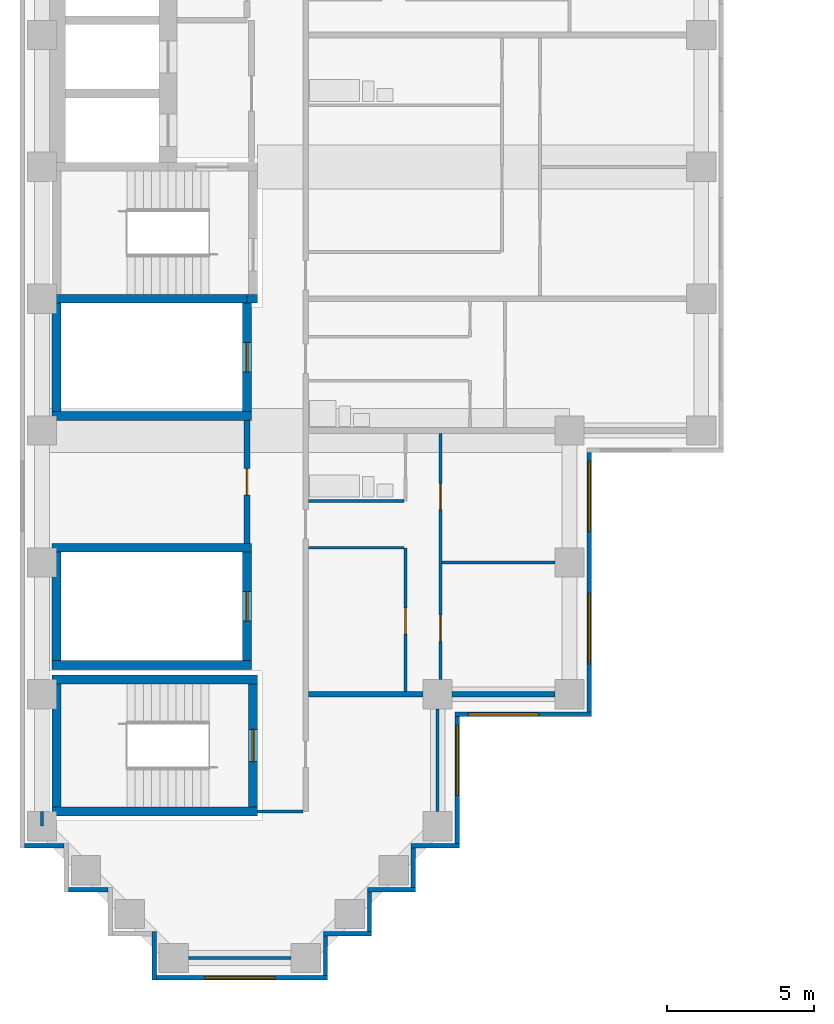
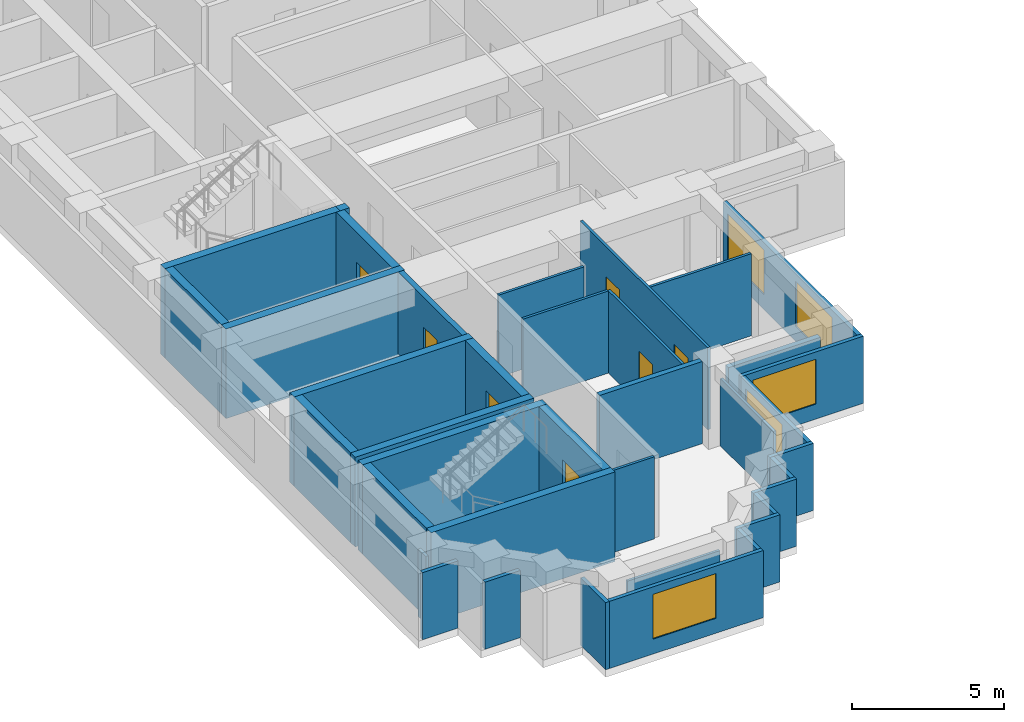
# One storey, part 2 of 12: 38 walls, 7 doors, 5 windows, 12 openings.
"""IFC4 building model written with IfcOpenShell, lengths in metres."""

from ifc_helpers import new_model, si_unit, direction, frame, frame_2d, origin, place, context, subcontext, project, spatial, rectangle, extrude, material, layer, layer_set, type_object, element, fill, save


model = new_model("IFC4")

# Units and contexts
model_context = context("Model", 3, precision=1e-05, world=origin(), true_north=direction((0.0, 1.0)))
body_context = subcontext(model_context, "Body", "Model", "MODEL_VIEW")
ifc_project = project(units=[si_unit("LENGTHUNIT", "METRE"), si_unit("AREAUNIT", "SQUARE_METRE"), si_unit("VOLUMEUNIT", "CUBIC_METRE"), si_unit("PLANEANGLEUNIT", "RADIAN"), si_unit("MASSUNIT", "GRAM", prefix="KILO")], contexts=[model_context])

# Site, building, storey
site_placement = place(None, origin())
site = spatial("IfcSite", under=ifc_project, at=site_placement, CompositionType="ELEMENT")
building_placement = place(site_placement, origin())
building = spatial("IfcBuilding", under=site, at=building_placement, Name="Firuza Court", CompositionType="ELEMENT")
storey_placement = place(building_placement, frame((0.0, 0.0, 126.800048828125)))
storey = spatial("IfcBuildingStorey", under=building, at=storey_placement, Name="L31", CompositionType="ELEMENT", Elevation=126.800048828125)

# Walls
ifc_material_1 = material(Name="Moisture-resistant gypsum board partition")
ifc_layer_1 = layer(ifc_material_1, 0.10009765625)
ifc_layer_set_1 = layer_set([ifc_layer_1], Name="Moisture-resistant gypsum board partition")
wall_type_1 = type_object("IfcWallType", Name="Bathroom partition 100", PredefinedType="PLUMBINGWALL", material=ifc_layer_set_1)
wall_1_placement = place(storey_placement, frame((9.10009765625, 15.60009765625, 0.0), z_axis=(0.0, 0.0, 1.0), x_axis=(1.0, 0.0, 0.0)))
element("IfcWall", 1, at=wall_1_placement, inside=storey, type_object=wall_type_1, Name="Bathroom partition 100 L31", PredefinedType="PLUMBINGWALL", context=body_context, shape_type="SweptSolid", body=[
    extrude(rectangle(XDim=3.25, YDim=0.10009765625, at=frame_2d((1.625, 0.0))), origin(), (0.0, 0.0, 1.0), 3.300048828125),
])
ifc_material_2 = material(Name="Concrete C60/75", Category="concrete")
ifc_layer_2 = layer(ifc_material_2, 0.300048828125)
ifc_layer_set_2 = layer_set([ifc_layer_2], Name="Concrete C60/75")
wall_type_2 = type_object("IfcWallType", Name="Core wall 300 C60/75", PredefinedType="SHEAR", material=ifc_layer_set_2)
for number, where, z_axis, x_axis, name in (
    (2, (0.35009765625, 5.0, -0.300048828125), (0.0, 0.0, 1.0), (1.0, 0.0, 0.0), "Core wall stair L31"),
    (3, (0.35009765625, 9.5, -0.300048828125), (0.0, 0.0, 1.0), (1.0, 0.0, 0.0), "Core wall stair L31"),
):
    element("IfcWall", number, at=place(storey_placement, frame(where, z_axis=z_axis, x_axis=x_axis)), inside=storey, type_object=wall_type_2, Name=name, PredefinedType="SHEAR", context=body_context, shape_type="SweptSolid", body=[
        extrude(rectangle(XDim=7.0, YDim=0.300048828125, at=frame_2d((3.5, 0.0))), origin(), (0.0, 0.0, 1.0), 3.60009765625),
    ])
for number, where, z_axis, x_axis, name in (
    (4, (0.35009765625, 10.0, -0.300048828125), (0.0, 0.0, 1.0), (1.0, 0.0, 0.0), "Core wall riser L31"),
    (5, (0.35009765625, 14.0, -0.300048828125), (0.0, 0.0, 1.0), (1.0, 0.0, 0.0), "Core wall riser L31"),
    (6, (0.35009765625, 18.5, -0.300048828125), (0.0, 0.0, 1.0), (1.0, 0.0, 0.0), "Core wall riser L31"),
):
    element("IfcWall", number, at=place(storey_placement, frame(where, z_axis=z_axis, x_axis=x_axis)), inside=storey, type_object=wall_type_2, Name=name, PredefinedType="SHEAR", context=body_context, shape_type="SweptSolid", body=[
        extrude(rectangle(XDim=6.7998046875, YDim=0.300048828125, at=frame_2d((3.39990234375, 0.0))), origin(), (0.0, 0.0, 1.0), 3.60009765625),
    ])
wall_2_placement = place(storey_placement, frame((0.35009765625, 22.5, -0.300048828125), z_axis=(0.0, 0.0, 1.0), x_axis=(1.0, 0.0, 0.0)))
element("IfcWall", 7, at=wall_2_placement, inside=storey, type_object=wall_type_2, Name="Core wall riser L31", PredefinedType="SHEAR", context=body_context, shape_type="SweptSolid", body=[
    extrude(rectangle(XDim=6.64990234375, YDim=0.300048828125, at=frame_2d((3.324951171875, 0.0))), origin(), (0.0, 0.0, 1.0), 3.60009765625),
])
wall_3_placement = place(storey_placement, frame((0.5, 5.14990234375, -0.300048828125), z_axis=(0.0, 0.0, 1.0), x_axis=(0.0, 1.0, 0.0)))
element("IfcWall", 8, at=wall_3_placement, inside=storey, type_object=wall_type_2, Name="Core wall stair L31", PredefinedType="SHEAR", context=body_context, shape_type="SweptSolid", body=[
    extrude(rectangle(XDim=4.2001953125, YDim=0.300048828125, at=frame_2d((2.10009765625, 0.0))), origin(), (0.0, 0.0, 1.0), 3.60009765625),
])
for number, where, z_axis, x_axis, name in (
    (9, (0.5, 10.14990234375, -0.300048828125), (0.0, 0.0, 1.0), (0.0, 1.0, 0.0), "Core wall riser L31"),
    (10, (0.5, 18.64990234375, -0.300048828125), (0.0, 0.0, 1.0), (0.0, 1.0, 0.0), "Core wall riser L31"),
):
    element("IfcWall", number, at=place(storey_placement, frame(where, z_axis=z_axis, x_axis=x_axis)), inside=storey, type_object=wall_type_2, Name=name, PredefinedType="SHEAR", context=body_context, shape_type="SweptSolid", body=[
        extrude(rectangle(XDim=3.7001953125, YDim=0.300048828125, at=frame_2d((1.85009765625, 0.0))), origin(), (0.0, 0.0, 1.0), 3.60009765625),
    ])

# Wall, opening, door
wall_4_placement = place(storey_placement, frame((7.0, 10.14990234375, -0.300048828125), z_axis=(0.0, 0.0, 1.0), x_axis=(0.0, 1.0, 0.0)))
wall_4 = element("IfcWall", 11, at=wall_4_placement, inside=storey, type_object=wall_type_2, Name="Core wall riser L31", PredefinedType="SHEAR", context=body_context, shape_type="SweptSolid", body=[
    extrude(rectangle(XDim=3.7001953125, YDim=0.300048828125, at=frame_2d((1.85009765625, 0.0))), origin(), (0.0, 0.0, 1.0), 3.60009765625),
])
opening_1_placement = place(wall_4_placement, frame((1.35009765625, 0.0, 0.300048828125)))
opening_1 = element("IfcOpeningElement", 12, at=opening_1_placement, cuts=wall_4, Name="Opening D31011", PredefinedType="OPENING", context=body_context, shape_type="SweptSolid", body=[
    extrude(rectangle(XDim=1.0, YDim=2.10009765625, at=frame_2d((0.5, 1.050048828125))), frame((0.0, 0.162109375, 0.0), z_axis=(0.0, -1.0, 0.0), x_axis=(1.0, 0.0, 0.0)), (0.0, 0.0, 1.0), 0.323974609375),
])
ifc_material_3 = material(Name="Timber door leaf in hardwood frame", Category="wood")
door_type_1 = type_object("IfcDoorType", Name="Riser door 1000", OperationType="SINGLE_SWING_LEFT", PredefinedType="DOOR", material=ifc_material_3)
door_1_placement = place(opening_1_placement, origin())
door_1 = element("IfcDoor", 13, at=door_1_placement, inside=storey, type_object=door_type_1, Name="Riser door R4", OperationType="SINGLE_SWING_LEFT", OverallHeight=2.10009765625, OverallWidth=1.0, PredefinedType="DOOR", context=body_context, shape_type="SweptSolid", body=[
    extrude(rectangle(XDim=1.0, YDim=2.10009765625, at=frame_2d((0.5, 1.050048828125))), frame((0.0, 0.02490234375, 0.0), z_axis=(0.0, -1.0, 0.0), x_axis=(1.0, 0.0, 0.0)), (0.0, 0.0, 1.0), 0.050048828125),
])
fill(opening_1, door_1)

wall_5_placement = place(storey_placement, frame((7.0, 18.64990234375, -0.300048828125), z_axis=(0.0, 0.0, 1.0), x_axis=(0.0, 1.0, 0.0)))
wall_5 = element("IfcWall", 14, at=wall_5_placement, inside=storey, type_object=wall_type_2, Name="Core wall riser L31", PredefinedType="SHEAR", context=body_context, shape_type="SweptSolid", body=[
    extrude(rectangle(XDim=3.7001953125, YDim=0.300048828125, at=frame_2d((1.85009765625, 0.0))), origin(), (0.0, 0.0, 1.0), 3.60009765625),
])
opening_2_placement = place(wall_5_placement, frame((1.35009765625, 0.0, 0.300048828125)))
opening_2 = element("IfcOpeningElement", 15, at=opening_2_placement, cuts=wall_5, Name="Opening D31009", PredefinedType="OPENING", context=body_context, shape_type="SweptSolid", body=[
    extrude(rectangle(XDim=1.0, YDim=2.10009765625, at=frame_2d((0.5, 1.050048828125))), frame((0.0, 0.162109375, 0.0), z_axis=(0.0, -1.0, 0.0), x_axis=(1.0, 0.0, 0.0)), (0.0, 0.0, 1.0), 0.323974609375),
])
door_2_placement = place(opening_2_placement, origin())
door_2 = element("IfcDoor", 16, at=door_2_placement, inside=storey, type_object=door_type_1, Name="Riser door R1", OperationType="SINGLE_SWING_LEFT", OverallHeight=2.10009765625, OverallWidth=1.0, PredefinedType="DOOR", context=body_context, shape_type="SweptSolid", body=[
    extrude(rectangle(XDim=1.0, YDim=2.10009765625, at=frame_2d((0.5, 1.050048828125))), frame((0.0, 0.02490234375, 0.0), z_axis=(0.0, -1.0, 0.0), x_axis=(1.0, 0.0, 0.0)), (0.0, 0.0, 1.0), 0.050048828125),
])
fill(opening_2, door_2)

# Wall
wall_6_placement = place(storey_placement, frame((7.0, 22.5, -0.300048828125), z_axis=(0.0, 0.0, 1.0), x_axis=(1.0, 0.0, 0.0)))
element("IfcWall", 17, at=wall_6_placement, inside=storey, type_object=wall_type_2, Name="Core wall stair L31", PredefinedType="SHEAR", context=body_context, shape_type="SweptSolid", body=[
    extrude(rectangle(XDim=0.35009765625, YDim=0.300048828125, at=frame_2d((0.175048828125, 0.0))), origin(), (0.0, 0.0, 1.0), 3.60009765625),
])

# Wall, opening, door
wall_7_placement = place(storey_placement, frame((7.199951171875, 5.14990234375, -0.300048828125), z_axis=(0.0, 0.0, 1.0), x_axis=(0.0, 1.0, 0.0)))
wall_7 = element("IfcWall", 18, at=wall_7_placement, inside=storey, type_object=wall_type_2, Name="Core wall stair L31", PredefinedType="SHEAR", context=body_context, shape_type="SweptSolid", body=[
    extrude(rectangle(XDim=4.2001953125, YDim=0.300048828125, at=frame_2d((2.10009765625, 0.0))), origin(), (0.0, 0.0, 1.0), 3.60009765625),
])
opening_3_placement = place(wall_7_placement, frame((1.550048828125, 0.0, 0.300048828125)))
opening_3 = element("IfcOpeningElement", 19, at=opening_3_placement, cuts=wall_7, Name="Opening D31017", PredefinedType="OPENING", context=body_context, shape_type="SweptSolid", body=[
    extrude(rectangle(XDim=1.10009765625, YDim=2.10009765625, at=frame_2d((0.550048828125, 1.050048828125))), frame((0.0, 0.162109375, 0.0), z_axis=(0.0, -1.0, 0.0), x_axis=(1.0, 0.0, 0.0)), (0.0, 0.0, 1.0), 0.323974609375),
])
ifc_material_4 = material(Name="Timber door leaf in hardwood frame", Category="wood")
door_type_2 = type_object("IfcDoorType", Name="Stair door 1100", OperationType="SINGLE_SWING_LEFT", PredefinedType="DOOR", material=ifc_material_4)
door_3_placement = place(opening_3_placement, origin())
door_3 = element("IfcDoor", 20, at=door_3_placement, inside=storey, type_object=door_type_2, Name="Stair door S5", OperationType="SINGLE_SWING_LEFT", OverallHeight=2.10009765625, OverallWidth=1.10009765625, PredefinedType="DOOR", context=body_context, shape_type="SweptSolid", body=[
    extrude(rectangle(XDim=1.10009765625, YDim=2.10009765625, at=frame_2d((0.550048828125, 1.050048828125))), frame((0.0, 0.02490234375, 0.0), z_axis=(0.0, -1.0, 0.0), x_axis=(1.0, 0.0, 0.0)), (0.0, 0.0, 1.0), 0.050048828125),
])
fill(opening_3, door_3)

ifc_material_5 = material(Name="Blockwork, plastered both sides", Category="masonry")
ifc_layer_3 = layer(ifc_material_5, 0.199951171875)
ifc_layer_set_3 = layer_set([ifc_layer_3], Name="Blockwork, plastered both sides")
wall_type_3 = type_object("IfcWallType", Name="Corridor wall 200", PredefinedType="PARTITIONING", material=ifc_layer_set_3)
wall_8_placement = place(storey_placement, frame((7.0, 14.14990234375, 0.0), z_axis=(0.0, 0.0, 1.0), x_axis=(0.0, 1.0, 0.0)))
wall_8 = element("IfcWall", 21, at=wall_8_placement, inside=storey, type_object=wall_type_3, Name="Corridor wall 200 L31", PredefinedType="PARTITIONING", context=body_context, shape_type="SweptSolid", body=[
    extrude(rectangle(XDim=4.2001953125, YDim=0.199951171875, at=frame_2d((2.10009765625, 0.0))), origin(), (0.0, 0.0, 1.0), 3.300048828125),
])
opening_4_placement = place(wall_8_placement, frame((1.64990234375, 0.0, 0.0)))
opening_4 = element("IfcOpeningElement", 22, at=opening_4_placement, cuts=wall_8, Name="Opening D31025", PredefinedType="OPENING", context=body_context, shape_type="SweptSolid", body=[
    extrude(rectangle(XDim=0.89990234375, YDim=2.10009765625, at=frame_2d((0.449951171875, 1.050048828125))), frame((0.0, 0.11181640625, 0.0), z_axis=(0.0, -1.0, 0.0), x_axis=(1.0, 0.0, 0.0)), (0.0, 0.0, 1.0), 0.223876953125),
])
ifc_material_6 = material(Name="Timber door leaf in hardwood frame", Category="wood")
door_type_3 = type_object("IfcDoorType", Name="Room door 900 EI 30", OperationType="SINGLE_SWING_LEFT", PredefinedType="DOOR", material=ifc_material_6)
door_4_placement = place(opening_4_placement, origin())
door_4 = element("IfcDoor", 23, at=door_4_placement, inside=storey, type_object=door_type_3, Name="Meeting room door", OperationType="SINGLE_SWING_LEFT", OverallHeight=2.10009765625, OverallWidth=0.89990234375, PredefinedType="DOOR", context=body_context, shape_type="SweptSolid", body=[
    extrude(rectangle(XDim=0.89990234375, YDim=2.10009765625, at=frame_2d((0.449951171875, 1.050048828125))), frame((0.0, 0.02490234375, 0.0), z_axis=(0.0, -1.0, 0.0), x_axis=(1.0, 0.0, 0.0)), (0.0, 0.0, 1.0), 0.050048828125),
])
fill(opening_4, door_4)

# Walls
ifc_material_7 = material(Name="Timber stud partition, plasterboard both sides", Category="wood")
ifc_layer_4 = layer(ifc_material_7, 0.10009765625)
ifc_layer_set_4 = layer_set([ifc_layer_4], Name="Timber stud partition, plasterboard both sides")
wall_type_4 = type_object("IfcWallType", Name="Partition wall 100", PredefinedType="PARTITIONING", material=ifc_layer_set_4)
wall_9_placement = place(storey_placement, frame((5.0, 0.0, 0.0), z_axis=(0.0, 0.0, 1.0), x_axis=(1.0, 0.0, 0.0)))
element("IfcWall", 24, at=wall_9_placement, inside=storey, type_object=wall_type_4, Name="Partition wall 100 L31", PredefinedType="PARTITIONING", context=body_context, shape_type="SweptSolid", body=[
    extrude(rectangle(XDim=3.5, YDim=0.10009765625, at=frame_2d((1.75, 0.0))), origin(), (0.0, 0.0, 1.0), 2.699951171875),
])
wall_10_placement = place(storey_placement, frame((0.0, 4.5, 0.0), z_axis=(0.0, 0.0, 1.0), x_axis=(0.0, 1.0, 0.0)))
element("IfcWall", 25, at=wall_10_placement, inside=storey, type_object=wall_type_4, Name="Partition wall 100 L31", PredefinedType="PARTITIONING", context=body_context, shape_type="SweptSolid", body=[
    extrude(rectangle(XDim=0.5, YDim=0.10009765625, at=frame_2d((0.25, 0.0))), origin(), (0.0, 0.0, 1.0), 2.699951171875),
])
wall_11_placement = place(storey_placement, frame((7.34912109375, 5.0, 0.0), z_axis=(0.0, 0.0, 1.0), x_axis=(1.0, 0.0, 0.0)))
element("IfcWall", 26, at=wall_11_placement, inside=storey, type_object=wall_type_4, Name="Partition wall 100 L31", PredefinedType="PARTITIONING", context=body_context, shape_type="SweptSolid", body=[
    extrude(rectangle(XDim=1.55078125, YDim=0.10009765625, at=frame_2d((0.775390625, 0.0))), origin(), (0.0, 0.0, 1.0), 3.300048828125),
])
wall_12_placement = place(storey_placement, frame((13.5, 5.0, 0.0), z_axis=(0.0, 0.0, 1.0), x_axis=(0.0, 1.0, 0.0)))
element("IfcWall", 27, at=wall_12_placement, inside=storey, type_object=wall_type_4, Name="Partition wall 100 L31", PredefinedType="PARTITIONING", context=body_context, shape_type="SweptSolid", body=[
    extrude(rectangle(XDim=3.5, YDim=0.10009765625, at=frame_2d((1.75, 0.0))), origin(), (0.0, 0.0, 1.0), 2.699951171875),
])

# Wall, opening, door
wall_13_placement = place(storey_placement, frame((12.39990234375, 9.10009765625, 0.0), z_axis=(0.0, 0.0, 1.0), x_axis=(0.0, 1.0, 0.0)))
wall_13 = element("IfcWall", 28, at=wall_13_placement, inside=storey, type_object=wall_type_4, Name="Partition wall 100 L31", PredefinedType="PARTITIONING", context=body_context, shape_type="SweptSolid", body=[
    extrude(rectangle(XDim=4.89990234375, YDim=0.10009765625, at=frame_2d((2.449951171875, 0.0))), origin(), (0.0, 0.0, 1.0), 3.300048828125),
])
opening_5_placement = place(wall_13_placement, frame((1.949951171875, 0.0, 0.0)))
opening_5 = element("IfcOpeningElement", 29, at=opening_5_placement, cuts=wall_13, Name="Opening D31022", PredefinedType="OPENING", context=body_context, shape_type="SweptSolid", body=[
    extrude(rectangle(XDim=0.89990234375, YDim=2.10009765625, at=frame_2d((0.449951171875, 1.050048828125))), frame((0.0, 0.06201171875, 0.0), z_axis=(0.0, -1.0, 0.0), x_axis=(1.0, 0.0, 0.0)), (0.0, 0.0, 1.0), 0.1240234375),
])
ifc_material_8 = material(Name="Timber door leaf in hardwood frame", Category="wood")
door_type_4 = type_object("IfcDoorType", Name="Room door 900", OperationType="SINGLE_SWING_LEFT", PredefinedType="DOOR", material=ifc_material_8)
door_5_placement = place(opening_5_placement, origin())
door_5 = element("IfcDoor", 30, at=door_5_placement, inside=storey, type_object=door_type_4, Name="Kitchen door", OperationType="SINGLE_SWING_LEFT", OverallHeight=2.10009765625, OverallWidth=0.89990234375, PredefinedType="DOOR", context=body_context, shape_type="SweptSolid", body=[
    extrude(rectangle(XDim=0.89990234375, YDim=2.10009765625, at=frame_2d((0.449951171875, 1.050048828125))), frame((0.0, 0.02490234375, 0.0), z_axis=(0.0, -1.0, 0.0), x_axis=(1.0, 0.0, 0.0)), (0.0, 0.0, 1.0), 0.050048828125),
])
fill(opening_5, door_5)

# Wall, openings, doors
wall_14_placement = place(storey_placement, frame((13.60009765625, 9.5, 0.0), z_axis=(0.0, 0.0, 1.0), x_axis=(0.0, 1.0, 0.0)))
wall_14 = element("IfcWall", 31, at=wall_14_placement, inside=storey, type_object=wall_type_4, Name="Partition wall 100 L31", PredefinedType="PARTITIONING", context=body_context, shape_type="SweptSolid", body=[
    extrude(rectangle(XDim=8.39990234375, YDim=0.10009765625, at=frame_2d((4.199951171875, 0.0))), origin(), (0.0, 0.0, 1.0), 3.300048828125),
])
opening_6_placement = place(wall_14_placement, frame((1.300048828125, 0.0, 0.0)))
opening_6 = element("IfcOpeningElement", 32, at=opening_6_placement, cuts=wall_14, Name="Opening D31023", PredefinedType="OPENING", context=body_context, shape_type="SweptSolid", body=[
    extrude(rectangle(XDim=0.89990234375, YDim=2.10009765625, at=frame_2d((0.449951171875, 1.050048828125))), frame((0.0, 0.06201171875, 0.0), z_axis=(0.0, -1.0, 0.0), x_axis=(1.0, 0.0, 0.0)), (0.0, 0.0, 1.0), 0.1240234375),
])
opening_7_placement = place(wall_14_placement, frame((5.800048828125, 0.0, 0.0)))
opening_7 = element("IfcOpeningElement", 33, at=opening_7_placement, cuts=wall_14, Name="Opening D31024", PredefinedType="OPENING", context=body_context, shape_type="SweptSolid", body=[
    extrude(rectangle(XDim=0.89990234375, YDim=2.10009765625, at=frame_2d((0.449951171875, 1.050048828125))), frame((0.0, 0.06201171875, 0.0), z_axis=(0.0, -1.0, 0.0), x_axis=(1.0, 0.0, 0.0)), (0.0, 0.0, 1.0), 0.1240234375),
])
door_6_placement = place(opening_6_placement, frame((0.89990234375, 0.0, 0.0), z_axis=(0.0, 0.0, 1.0), x_axis=(-1.0, 0.0, 0.0)))
door_6 = element("IfcDoor", 34, at=door_6_placement, inside=storey, type_object=door_type_4, Name="Living room door", OperationType="SINGLE_SWING_RIGHT", OverallHeight=2.10009765625, OverallWidth=0.89990234375, PredefinedType="DOOR", context=body_context, shape_type="SweptSolid", body=[
    extrude(rectangle(XDim=0.89990234375, YDim=2.10009765625, at=frame_2d((0.449951171875, 1.050048828125))), frame((0.0, 0.02490234375, 0.0), z_axis=(0.0, -1.0, 0.0), x_axis=(1.0, 0.0, 0.0)), (0.0, 0.0, 1.0), 0.050048828125),
])
fill(opening_6, door_6)
door_7_placement = place(opening_7_placement, frame((0.89990234375, 0.0, 0.0), z_axis=(0.0, 0.0, 1.0), x_axis=(-1.0, 0.0, 0.0)))
door_7 = element("IfcDoor", 35, at=door_7_placement, inside=storey, type_object=door_type_4, Name="Bedroom door", OperationType="SINGLE_SWING_RIGHT", OverallHeight=2.10009765625, OverallWidth=0.89990234375, PredefinedType="DOOR", context=body_context, shape_type="SweptSolid", body=[
    extrude(rectangle(XDim=0.89990234375, YDim=2.10009765625, at=frame_2d((0.449951171875, 1.050048828125))), frame((0.0, 0.02490234375, 0.0), z_axis=(0.0, -1.0, 0.0), x_axis=(1.0, 0.0, 0.0)), (0.0, 0.0, 1.0), 0.050048828125),
])
fill(opening_7, door_7)

# Walls
wall_15_placement = place(storey_placement, frame((13.64990234375, 13.5, 0.0), z_axis=(0.0, 0.0, 1.0), x_axis=(1.0, 0.0, 0.0)))
element("IfcWall", 36, at=wall_15_placement, inside=storey, type_object=wall_type_4, Name="Partition wall 100 L31", PredefinedType="PARTITIONING", context=body_context, shape_type="SweptSolid", body=[
    extrude(rectangle(XDim=3.85009765625, YDim=0.10009765625, at=frame_2d((1.925048828125, 0.0))), origin(), (0.0, 0.0, 1.0), 3.300048828125),
])
wall_16_placement = place(storey_placement, frame((9.10009765625, 14.0, 0.0), z_axis=(0.0, 0.0, 1.0), x_axis=(1.0, 0.0, 0.0)))
element("IfcWall", 37, at=wall_16_placement, inside=storey, type_object=wall_type_4, Name="Partition wall 100 L31", PredefinedType="PARTITIONING", context=body_context, shape_type="SweptSolid", body=[
    extrude(rectangle(XDim=3.25, YDim=0.10009765625, at=frame_2d((1.625, 0.0))), origin(), (0.0, 0.0, 1.0), 3.300048828125),
])
ifc_layer_5 = layer(ifc_material_5, 0.199951171875)
ifc_layer_set_5 = layer_set([ifc_layer_5], Name="Blockwork, plastered both sides")
wall_type_5 = type_object("IfcWallType", Name="Party wall 200", PredefinedType="PARTITIONING", material=ifc_layer_set_5)
wall_17_placement = place(storey_placement, frame((9.10009765625, 9.0, 0.0), z_axis=(0.0, 0.0, 1.0), x_axis=(1.0, 0.0, 0.0)))
element("IfcWall", 38, at=wall_17_placement, inside=storey, type_object=wall_type_5, Name="Party wall 200 L31", PredefinedType="PARTITIONING", context=body_context, shape_type="SweptSolid", body=[
    extrude(rectangle(XDim=3.89990234375, YDim=0.199951171875, at=frame_2d((1.949951171875, 0.0))), origin(), (0.0, 0.0, 1.0), 3.300048828125),
])
wall_18_placement = place(storey_placement, frame((14.0, 9.0, 0.0), z_axis=(0.0, 0.0, 1.0), x_axis=(1.0, 0.0, 0.0)))
element("IfcWall", 39, at=wall_18_placement, inside=storey, type_object=wall_type_5, Name="Party wall 200 L31", PredefinedType="PARTITIONING", context=body_context, shape_type="SweptSolid", body=[
    extrude(rectangle(XDim=3.5, YDim=0.199951171875, at=frame_2d((1.75, 0.0))), origin(), (0.0, 0.0, 1.0), 2.699951171875),
])
ifc_material_9 = material(Name="Ceramic tile", Category="ceramic")
ifc_layer_6 = layer(ifc_material_9, 0.02001953125)
ifc_material_10 = material(Name="Mineral wool insulation", Category="insulation")
ifc_layer_7 = layer(ifc_material_10, 0.050048828125)
ifc_material_11 = material(Name="Concrete C40/50 precast", Category="concrete")
ifc_layer_8 = layer(ifc_material_11, 0.080078125)
ifc_layer_set_6 = layer_set([ifc_layer_6, ifc_layer_7, ifc_layer_8], Name="Concrete C40/50 precast")
wall_type_6 = type_object("IfcWallType", Name="Precast cladding wall with turquoise TILE PANEL face 150", PredefinedType="STANDARD", material=ifc_layer_set_6)
wall_19_placement = place(storey_placement, frame((9.675048828125, -0.60009765625, 0.0), z_axis=(0.0, 0.0, 1.0), x_axis=(0.0, 1.0, 0.0)))
element("IfcWall", 40, at=wall_19_placement, inside=storey, type_object=wall_type_6, Name="Facade wall L31 E", PredefinedType="STANDARD", context=body_context, shape_type="SweptSolid", body=[
    extrude(rectangle(XDim=1.35009765625, YDim=0.14990234375, at=frame_2d((0.675048828125, 0.0))), origin(), (0.0, 0.0, 1.0), 2.699951171875),
])
wall_20_placement = place(storey_placement, frame((9.60009765625, 0.824951171875, 0.0), z_axis=(0.0, 0.0, 1.0), x_axis=(1.0, 0.0, 0.0)))
element("IfcWall", 41, at=wall_20_placement, inside=storey, type_object=wall_type_6, Name="Facade wall L31 S", PredefinedType="STANDARD", context=body_context, shape_type="SweptSolid", body=[
    extrude(rectangle(XDim=1.64990234375, YDim=0.14990234375, at=frame_2d((0.824951171875, 0.0))), origin(), (0.0, 0.0, 1.0), 2.699951171875),
])
wall_21_placement = place(storey_placement, frame((11.175048828125, 0.89990234375, 0.0), z_axis=(0.0, 0.0, 1.0), x_axis=(0.0, 1.0, 0.0)))
element("IfcWall", 42, at=wall_21_placement, inside=storey, type_object=wall_type_6, Name="Facade wall L31 E", PredefinedType="STANDARD", context=body_context, shape_type="SweptSolid", body=[
    extrude(rectangle(XDim=1.35009765625, YDim=0.14990234375, at=frame_2d((0.675048828125, 0.0))), origin(), (0.0, 0.0, 1.0), 2.699951171875),
])
wall_22_placement = place(storey_placement, frame((11.10009765625, 2.324951171875, 0.0), z_axis=(0.0, 0.0, 1.0), x_axis=(1.0, 0.0, 0.0)))
element("IfcWall", 43, at=wall_22_placement, inside=storey, type_object=wall_type_6, Name="Facade wall L31 S", PredefinedType="STANDARD", context=body_context, shape_type="SweptSolid", body=[
    extrude(rectangle(XDim=1.64990234375, YDim=0.14990234375, at=frame_2d((0.824951171875, 0.0))), origin(), (0.0, 0.0, 1.0), 2.699951171875),
])
wall_23_placement = place(storey_placement, frame((12.675048828125, 2.39990234375, 0.0), z_axis=(0.0, 0.0, 1.0), x_axis=(0.0, 1.0, 0.0)))
element("IfcWall", 44, at=wall_23_placement, inside=storey, type_object=wall_type_6, Name="Facade wall L31 E", PredefinedType="STANDARD", context=body_context, shape_type="SweptSolid", body=[
    extrude(rectangle(XDim=1.35009765625, YDim=0.14990234375, at=frame_2d((0.675048828125, 0.0))), origin(), (0.0, 0.0, 1.0), 2.699951171875),
])
wall_24_placement = place(storey_placement, frame((12.60009765625, 3.824951171875, 0.0), z_axis=(0.0, 0.0, 1.0), x_axis=(1.0, 0.0, 0.0)))
element("IfcWall", 45, at=wall_24_placement, inside=storey, type_object=wall_type_6, Name="Facade wall L31 S", PredefinedType="STANDARD", context=body_context, shape_type="SweptSolid", body=[
    extrude(rectangle(XDim=1.64990234375, YDim=0.14990234375, at=frame_2d((0.824951171875, 0.0))), origin(), (0.0, 0.0, 1.0), 2.699951171875),
])

# Wall, opening, window
wall_25_placement = place(storey_placement, frame((14.175048828125, 3.89990234375, 0.0), z_axis=(0.0, 0.0, 1.0), x_axis=(0.0, 1.0, 0.0)))
wall_25 = element("IfcWall", 46, at=wall_25_placement, inside=storey, type_object=wall_type_6, Name="Facade wall L31 E", PredefinedType="STANDARD", context=body_context, shape_type="SweptSolid", body=[
    extrude(rectangle(XDim=4.35009765625, YDim=0.14990234375, at=frame_2d((2.175048828125, 0.0))), origin(), (0.0, 0.0, 1.0), 2.699951171875),
])
opening_8_placement = place(wall_25_placement, frame((1.64990234375, 0.0, 0.60009765625)))
opening_8 = element("IfcOpeningElement", 47, at=opening_8_placement, cuts=wall_25, Name="Opening W1", PredefinedType="OPENING", context=body_context, shape_type="SweptSolid", body=[
    extrude(rectangle(XDim=2.39990234375, YDim=1.800048828125, at=frame_2d((1.199951171875, 0.89990234375))), frame((0.0, 0.0869140625, 0.0), z_axis=(0.0, -1.0, 0.0), x_axis=(1.0, 0.0, 0.0)), (0.0, 0.0, 1.0), 0.173828125),
])
ifc_material_12 = material(Name="Aluminium frame, triple clear glazing", Category="aluminium")
window_type = type_object("IfcWindowType", Name="Window W1 2400 x 1800", PartitioningType="SINGLE_PANEL", PredefinedType="WINDOW", material=ifc_material_12)
window_1_placement = place(opening_8_placement, origin())
window_1 = element("IfcWindow", 48, at=window_1_placement, inside=storey, type_object=window_type, Name="Window L31", OverallHeight=1.800048828125, OverallWidth=2.39990234375, PartitioningType="SINGLE_PANEL", PredefinedType="WINDOW", context=body_context, shape_type="SweptSolid", body=[
    extrude(rectangle(XDim=2.39990234375, YDim=1.800048828125, at=frame_2d((1.199951171875, 0.89990234375))), frame((0.0, 0.030029296875, 0.0), z_axis=(0.0, -1.0, 0.0), x_axis=(1.0, 0.0, 0.0)), (0.0, 0.0, 1.0), 0.06005859375),
])
fill(opening_8, window_1)

wall_26_placement = place(storey_placement, frame((14.10009765625, 8.324951171875, 0.0), z_axis=(0.0, 0.0, 1.0), x_axis=(1.0, 0.0, 0.0)))
wall_26 = element("IfcWall", 49, at=wall_26_placement, inside=storey, type_object=wall_type_6, Name="Facade wall L31 S", PredefinedType="STANDARD", context=body_context, shape_type="SweptSolid", body=[
    extrude(rectangle(XDim=4.64990234375, YDim=0.14990234375, at=frame_2d((2.324951171875, 0.0))), origin(), (0.0, 0.0, 1.0), 2.699951171875),
])
opening_9_placement = place(wall_26_placement, frame((0.449951171875, 0.0, 0.60009765625)))
opening_9 = element("IfcOpeningElement", 50, at=opening_9_placement, cuts=wall_26, Name="Opening W1", PredefinedType="OPENING", context=body_context, shape_type="SweptSolid", body=[
    extrude(rectangle(XDim=2.39990234375, YDim=1.800048828125, at=frame_2d((1.199951171875, 0.89990234375))), frame((0.0, 0.0869140625, 0.0), z_axis=(0.0, -1.0, 0.0), x_axis=(1.0, 0.0, 0.0)), (0.0, 0.0, 1.0), 0.173828125),
])
window_2_placement = place(opening_9_placement, origin())
window_2 = element("IfcWindow", 51, at=window_2_placement, inside=storey, type_object=window_type, Name="Window L31", OverallHeight=1.800048828125, OverallWidth=2.39990234375, PartitioningType="SINGLE_PANEL", PredefinedType="WINDOW", context=body_context, shape_type="SweptSolid", body=[
    extrude(rectangle(XDim=2.39990234375, YDim=1.800048828125, at=frame_2d((1.199951171875, 0.89990234375))), frame((0.0, 0.030029296875, 0.0), z_axis=(0.0, -1.0, 0.0), x_axis=(1.0, 0.0, 0.0)), (0.0, 0.0, 1.0), 0.06005859375),
])
fill(opening_9, window_2)

# Wall, openings, windows
wall_27_placement = place(storey_placement, frame((18.675048828125, 8.39990234375, 0.0), z_axis=(0.0, 0.0, 1.0), x_axis=(0.0, 1.0, 0.0)))
wall_27 = element("IfcWall", 52, at=wall_27_placement, inside=storey, type_object=wall_type_6, Name="Facade wall L31 E", PredefinedType="STANDARD", context=body_context, shape_type="SweptSolid", body=[
    extrude(rectangle(XDim=8.85009765625, YDim=0.14990234375, at=frame_2d((4.425048828125, 0.0))), origin(), (0.0, 0.0, 1.0), 2.699951171875),
])
opening_10_placement = place(wall_27_placement, frame((1.64990234375, 0.0, 0.60009765625)))
opening_10 = element("IfcOpeningElement", 53, at=opening_10_placement, cuts=wall_27, Name="Opening W1", PredefinedType="OPENING", context=body_context, shape_type="SweptSolid", body=[
    extrude(rectangle(XDim=2.39990234375, YDim=1.800048828125, at=frame_2d((1.199951171875, 0.89990234375))), frame((0.0, 0.0869140625, 0.0), z_axis=(0.0, -1.0, 0.0), x_axis=(1.0, 0.0, 0.0)), (0.0, 0.0, 1.0), 0.173828125),
])
opening_11_placement = place(wall_27_placement, frame((6.14990234375, 0.0, 0.60009765625)))
opening_11 = element("IfcOpeningElement", 54, at=opening_11_placement, cuts=wall_27, Name="Opening W1", PredefinedType="OPENING", context=body_context, shape_type="SweptSolid", body=[
    extrude(rectangle(XDim=2.39990234375, YDim=1.800048828125, at=frame_2d((1.199951171875, 0.89990234375))), frame((0.0, 0.0869140625, 0.0), z_axis=(0.0, -1.0, 0.0), x_axis=(1.0, 0.0, 0.0)), (0.0, 0.0, 1.0), 0.173828125),
])
window_3_placement = place(opening_10_placement, origin())
window_3 = element("IfcWindow", 55, at=window_3_placement, inside=storey, type_object=window_type, Name="Window L31", OverallHeight=1.800048828125, OverallWidth=2.39990234375, PartitioningType="SINGLE_PANEL", PredefinedType="WINDOW", context=body_context, shape_type="SweptSolid", body=[
    extrude(rectangle(XDim=2.39990234375, YDim=1.800048828125, at=frame_2d((1.199951171875, 0.89990234375))), frame((0.0, 0.030029296875, 0.0), z_axis=(0.0, -1.0, 0.0), x_axis=(1.0, 0.0, 0.0)), (0.0, 0.0, 1.0), 0.06005859375),
])
fill(opening_10, window_3)
window_4_placement = place(opening_11_placement, origin())
window_4 = element("IfcWindow", 56, at=window_4_placement, inside=storey, type_object=window_type, Name="Window L31", OverallHeight=1.800048828125, OverallWidth=2.39990234375, PartitioningType="SINGLE_PANEL", PredefinedType="WINDOW", context=body_context, shape_type="SweptSolid", body=[
    extrude(rectangle(XDim=2.39990234375, YDim=1.800048828125, at=frame_2d((1.199951171875, 0.89990234375))), frame((0.0, 0.030029296875, 0.0), z_axis=(0.0, -1.0, 0.0), x_axis=(1.0, 0.0, 0.0)), (0.0, 0.0, 1.0), 0.06005859375),
])
fill(opening_11, window_4)

# Walls
for number, where, z_axis, x_axis, name in (
    (57, (-0.60009765625, 3.824951171875, 0.0), (0.0, 0.0, 1.0), (1.0, 0.0, 0.0), "Facade wall L31 S"),
    (58, (0.89990234375, 2.324951171875, 0.0), (0.0, 0.0, 1.0), (1.0, 0.0, 0.0), "Facade wall L31 S"),
):
    element("IfcWall", number, at=place(storey_placement, frame(where, z_axis=z_axis, x_axis=x_axis)), inside=storey, type_object=wall_type_6, Name=name, PredefinedType="STANDARD", context=body_context, shape_type="SweptSolid", body=[
        extrude(rectangle(XDim=1.35009765625, YDim=0.14990234375, at=frame_2d((0.675048828125, 0.0))), origin(), (0.0, 0.0, 1.0), 2.699951171875),
    ])
wall_28_placement = place(storey_placement, frame((3.824951171875, 0.89990234375, 0.0), z_axis=(0.0, 0.0, 1.0), x_axis=(0.0, -1.0, 0.0)))
element("IfcWall", 59, at=wall_28_placement, inside=storey, type_object=wall_type_6, Name="Facade wall L31 W", PredefinedType="STANDARD", context=body_context, shape_type="SweptSolid", body=[
    extrude(rectangle(XDim=1.64990234375, YDim=0.14990234375, at=frame_2d((0.824951171875, 0.0))), origin(), (0.0, 0.0, 1.0), 2.699951171875),
])

# Wall, opening, window
wall_29_placement = place(storey_placement, frame((3.89990234375, -0.675048828125, 0.0), z_axis=(0.0, 0.0, 1.0), x_axis=(1.0, 0.0, 0.0)))
wall_29 = element("IfcWall", 60, at=wall_29_placement, inside=storey, type_object=wall_type_6, Name="Facade wall L31 S", PredefinedType="STANDARD", context=body_context, shape_type="SweptSolid", body=[
    extrude(rectangle(XDim=5.85009765625, YDim=0.14990234375, at=frame_2d((2.925048828125, 0.0))), origin(), (0.0, 0.0, 1.0), 2.699951171875),
])
opening_12_placement = place(wall_29_placement, frame((1.64990234375, 0.0, 0.60009765625)))
opening_12 = element("IfcOpeningElement", 61, at=opening_12_placement, cuts=wall_29, Name="Opening W1", PredefinedType="OPENING", context=body_context, shape_type="SweptSolid", body=[
    extrude(rectangle(XDim=2.39990234375, YDim=1.800048828125, at=frame_2d((1.199951171875, 0.89990234375))), frame((0.0, 0.0869140625, 0.0), z_axis=(0.0, -1.0, 0.0), x_axis=(1.0, 0.0, 0.0)), (0.0, 0.0, 1.0), 0.173828125),
])
window_5_placement = place(opening_12_placement, origin())
window_5 = element("IfcWindow", 62, at=window_5_placement, inside=storey, type_object=window_type, Name="Window L31", OverallHeight=1.800048828125, OverallWidth=2.39990234375, PartitioningType="SINGLE_PANEL", PredefinedType="WINDOW", context=body_context, shape_type="SweptSolid", body=[
    extrude(rectangle(XDim=2.39990234375, YDim=1.800048828125, at=frame_2d((1.199951171875, 0.89990234375))), frame((0.0, 0.030029296875, 0.0), z_axis=(0.0, -1.0, 0.0), x_axis=(1.0, 0.0, 0.0)), (0.0, 0.0, 1.0), 0.06005859375),
])
fill(opening_12, window_5)

save(model, "model.ifc")
